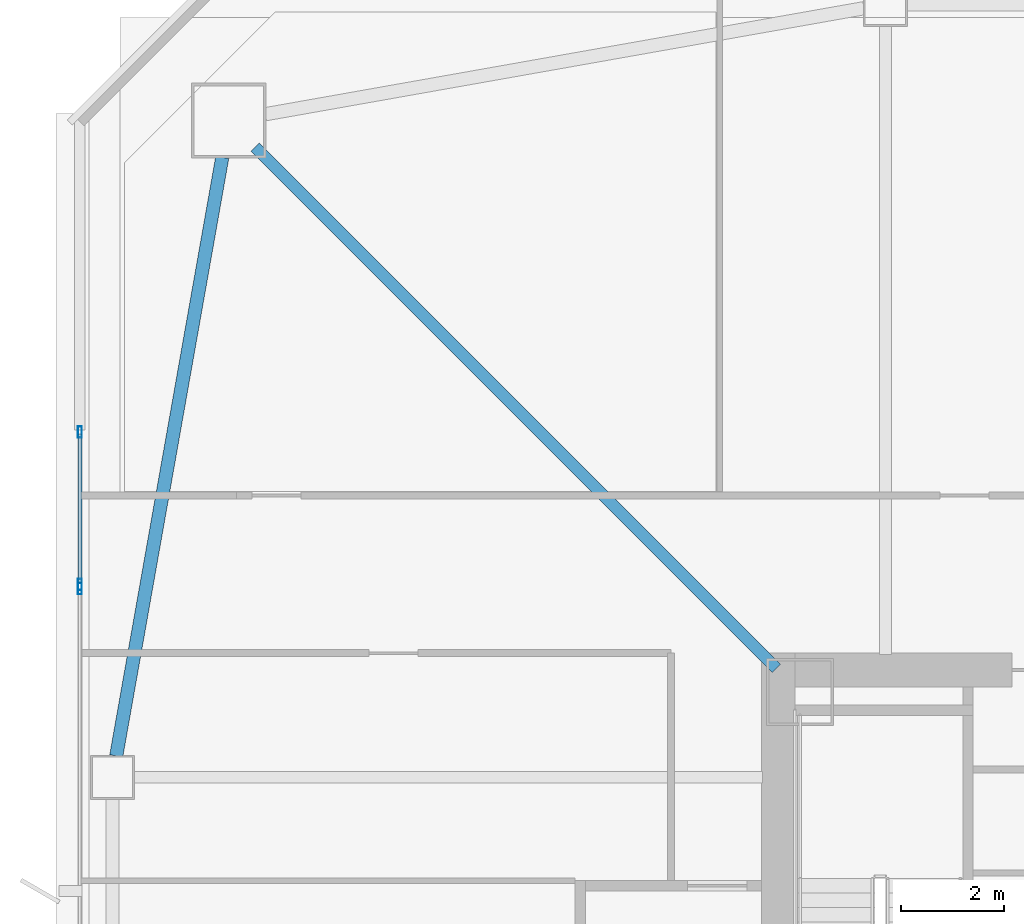
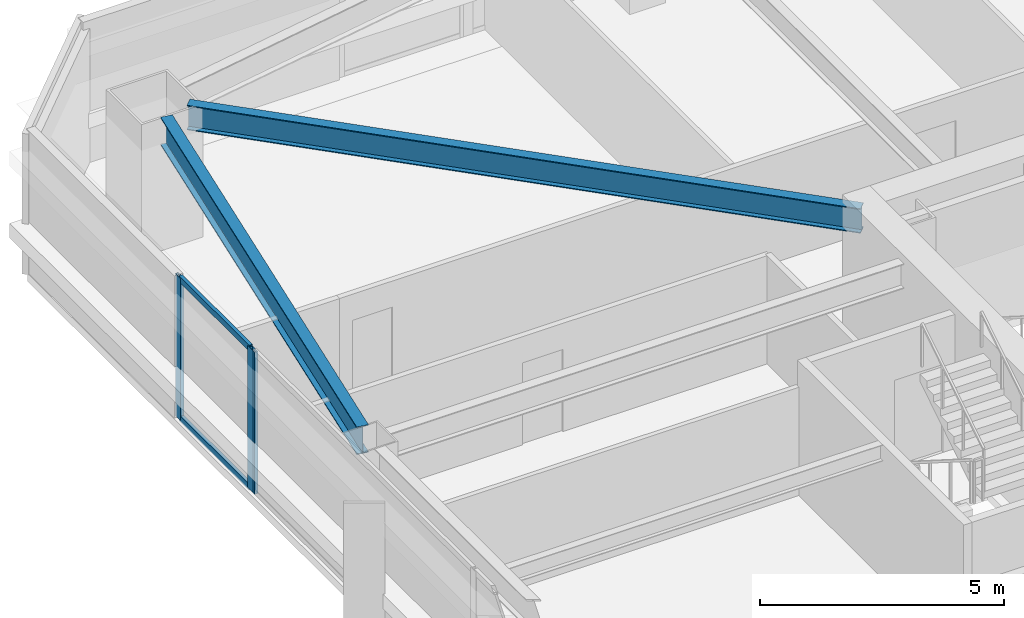
# One storey, part 13 of 49: 5 members, 2 beams, 2 elements without a shape of their own.
"""IFC4 building model written with IfcOpenShell, lengths in metres."""

from ifc_helpers import new_model, si_unit, direction, frame, origin, origin_2d, place, context, subcontext, project, spatial, hollow_rectangle, i_section, extrude, material, material_profile, profile_set, type_object, element, aggregate, save


model = new_model("IFC4")

# Units and contexts
model_context = context("Model", 3, precision=1e-05, world=origin(), true_north=direction((0.0, 1.0)))
body_context = subcontext(model_context, "Body", "Model", "MODEL_VIEW")
ifc_project = project(units=[si_unit("LENGTHUNIT", "METRE"), si_unit("AREAUNIT", "SQUARE_METRE"), si_unit("VOLUMEUNIT", "CUBIC_METRE"), si_unit("PLANEANGLEUNIT", "RADIAN"), si_unit("MASSUNIT", "GRAM", prefix="KILO")], contexts=[model_context])

# Site, building, storey
site_placement = place(None, origin())
site = spatial("IfcSite", under=ifc_project, at=site_placement, CompositionType="ELEMENT")
building_placement = place(site_placement, origin())
building = spatial("IfcBuilding", under=site, at=building_placement, Name="Tashvorn Skyway Center", CompositionType="ELEMENT")
storey_placement = place(building_placement, frame((0.0, 0.0, 70.75)))
storey = spatial("IfcBuildingStorey", under=building, at=storey_placement, Name="L18", CompositionType="ELEMENT", Elevation=70.75)

# Beams
ifc_material_1 = material(Name="Steel ASTM A992 Grade 50", Category="steel")
ifc_material_profile_1 = material_profile(ifc_material_1, i_section(OverallWidth=0.22998046875, OverallDepth=0.616943359375, WebThickness=0.01318359375, FlangeThickness=0.022216796875, at=origin_2d()), Name="W24X94")
ifc_profile_set_1 = profile_set([ifc_material_profile_1], Name="Steel ASTM A992 Grade 50")
beam_type_1 = type_object("IfcBeamType", Name="BM-BEAM-W24X94", PredefinedType="BEAM", material=ifc_profile_set_1)
beam_1_placement = place(storey_placement, frame((24.4091796875, 49.5908203125, 3.04150390625), z_axis=(0.707106781187, -0.707106781187, 0.0), x_axis=(0.707106781187, 0.707106781187, 0.0)))
element("IfcBeam", 1, at=beam_1_placement, inside=storey, type_object=beam_type_1, Name="Tower 1 L18 Primary Floor Girder MC-NW", PredefinedType="BEAM", context=body_context, shape_type="SweptSolid", body=[
    extrude(i_section(OverallWidth=0.22998046875, OverallDepth=0.616943359375, WebThickness=0.01318359375, FlangeThickness=0.022216796875, at=origin_2d()), origin(), (0.0, 0.0, 1.0), 14.261962890625),
])
ifc_material_profile_2 = material_profile(ifc_material_1, i_section(OverallWidth=0.256103515625, OverallDepth=0.693115234375, WebThickness=0.014404296875, FlangeThickness=0.023681640625, at=origin_2d()), Name="W27X114")
ifc_profile_set_2 = profile_set([ifc_material_profile_2], Name="Steel ASTM A992 Grade 50")
beam_type_2 = type_object("IfcBeamType", Name="BM-SPANDREL-W27X114", PredefinedType="SPANDREL", material=ifc_profile_set_2)
beam_2_placement = place(storey_placement, frame((23.7744140625, 49.39111328125, 3.00341796875), z_axis=(-0.174437966698, -0.98466816531, 0.0), x_axis=(0.98466816531, -0.174437966698, 0.0)))
element("IfcBeam", 2, at=beam_2_placement, inside=storey, type_object=beam_type_2, Name="Tower 1 L18 Spandrel Beam 10", PredefinedType="SPANDREL", context=body_context, shape_type="SweptSolid", body=[
    extrude(i_section(OverallWidth=0.256103515625, OverallDepth=0.693115234375, WebThickness=0.014404296875, FlangeThickness=0.023681640625, at=origin_2d()), origin(), (0.0, 0.0, 1.0), 11.7578125),
])

# Curtain wall, member
ifc_material_2 = material(Name="Thermally broken bronze-anodized aluminium 6063-T6", Category="aluminium")
curtain_wall_type = type_object("IfcCurtainWallType", Name="CW-CW-Z2", PredefinedType="NOTDEFINED", material=ifc_material_2)
curtain_wall_1_placement = place(storey_placement, origin())
curtain_wall_1 = element("IfcCurtainWall", 3, at=curtain_wall_1_placement, inside=storey, type_object=curtain_wall_type, Name="Tower 1 L18 West Unitised Curtain Wall Glazing Group 2", PredefinedType="NOTDEFINED")
ifc_material_profile_3 = material_profile(ifc_material_2, hollow_rectangle(XDim=0.080078125, YDim=0.219970703125, WallThickness=0.0048828125, at=origin_2d()), Name="ALU-MULL-80x220")
ifc_profile_set_3 = profile_set([ifc_material_profile_3], Name="Thermally broken bronze-anodized aluminium 6063-T6")
member_type_1 = type_object("IfcMemberType", Name="CWM-CW-Z2", PredefinedType="MULLION", material=ifc_profile_set_3)
member_1_placement = place(storey_placement, frame((21.02001953125, 41.050048828125, 0.0), z_axis=(0.0, 0.0, 1.0), x_axis=(-1.0, 0.0, 0.0)))
member_1 = element("IfcMember", 4, at=member_1_placement, type_object=member_type_1, Name="CW-Z2 mullion 3", PredefinedType="MULLION", context=body_context, shape_type="SweptSolid", body=[
    extrude(hollow_rectangle(XDim=0.080078125, YDim=0.219970703125, WallThickness=0.0048828125, at=origin_2d()), origin(), (0.0, 0.0, 1.0), 3.550048828125),
])
aggregate(curtain_wall_1, [member_1])

# Curtain wall, members
curtain_wall_2_placement = place(storey_placement, origin())
curtain_wall_2 = element("IfcCurtainWall", 5, at=curtain_wall_2_placement, inside=storey, type_object=curtain_wall_type, Name="Tower 1 L18 West Unitised Curtain Wall Glazing Group 3", PredefinedType="NOTDEFINED")
member_2_placement = place(storey_placement, frame((21.02001953125, 41.1298828125, 0.0), z_axis=(0.0, 0.0, 1.0), x_axis=(-1.0, 0.0, 0.0)))
member_2 = element("IfcMember", 6, at=member_2_placement, type_object=member_type_1, Name="CW-Z2 mullion 1", PredefinedType="MULLION", context=body_context, shape_type="SweptSolid", body=[
    extrude(hollow_rectangle(XDim=0.080078125, YDim=0.219970703125, WallThickness=0.0048828125, at=origin_2d()), origin(), (0.0, 0.0, 1.0), 3.550048828125),
])
member_3_placement = place(storey_placement, frame((21.02001953125, 44.080078125, 0.0), z_axis=(0.0, 0.0, 1.0), x_axis=(-1.0, 0.0, 0.0)))
member_3 = element("IfcMember", 7, at=member_3_placement, type_object=member_type_1, Name="CW-Z2 mullion 2", PredefinedType="MULLION", context=body_context, shape_type="SweptSolid", body=[
    extrude(hollow_rectangle(XDim=0.080078125, YDim=0.219970703125, WallThickness=0.0048828125, at=origin_2d()), origin(), (0.0, 0.0, 1.0), 3.550048828125),
])
ifc_material_profile_4 = material_profile(ifc_material_2, hollow_rectangle(XDim=0.080078125, YDim=0.14990234375, WallThickness=0.00439453125, at=origin_2d()), Name="ALU-TRAN-80x150")
ifc_profile_set_4 = profile_set([ifc_material_profile_4], Name="Thermally broken bronze-anodized aluminium 6063-T6")
member_type_2 = type_object("IfcMemberType", Name="CWT-CW-Z2", PredefinedType="USERDEFINED", material=ifc_profile_set_4)
member_4_placement = place(storey_placement, frame((21.02001953125, 41.169921875, 0.0400390625), z_axis=(0.0, 1.0, 0.0), x_axis=(-1.0, 0.0, 0.0)))
member_4 = element("IfcMember", 8, at=member_4_placement, type_object=member_type_2, Name="CW-Z2 transom 1.1", ObjectType="TRANSOM", PredefinedType="USERDEFINED", context=body_context, shape_type="SweptSolid", body=[
    extrude(hollow_rectangle(XDim=0.080078125, YDim=0.14990234375, WallThickness=0.00439453125, at=origin_2d()), origin(), (0.0, 0.0, 1.0), 2.8701171875),
])
member_5_placement = place(storey_placement, frame((21.02001953125, 41.169921875, 3.510009765625), z_axis=(0.0, 1.0, 0.0), x_axis=(-1.0, 0.0, 0.0)))
member_5 = element("IfcMember", 9, at=member_5_placement, type_object=member_type_2, Name="CW-Z2 transom 1.2", ObjectType="TRANSOM", PredefinedType="USERDEFINED", context=body_context, shape_type="SweptSolid", body=[
    extrude(hollow_rectangle(XDim=0.080078125, YDim=0.14990234375, WallThickness=0.00439453125, at=origin_2d()), origin(), (0.0, 0.0, 1.0), 2.8701171875),
])
aggregate(curtain_wall_2, [member_2, member_3, member_4, member_5])

save(model, "model.ifc")
